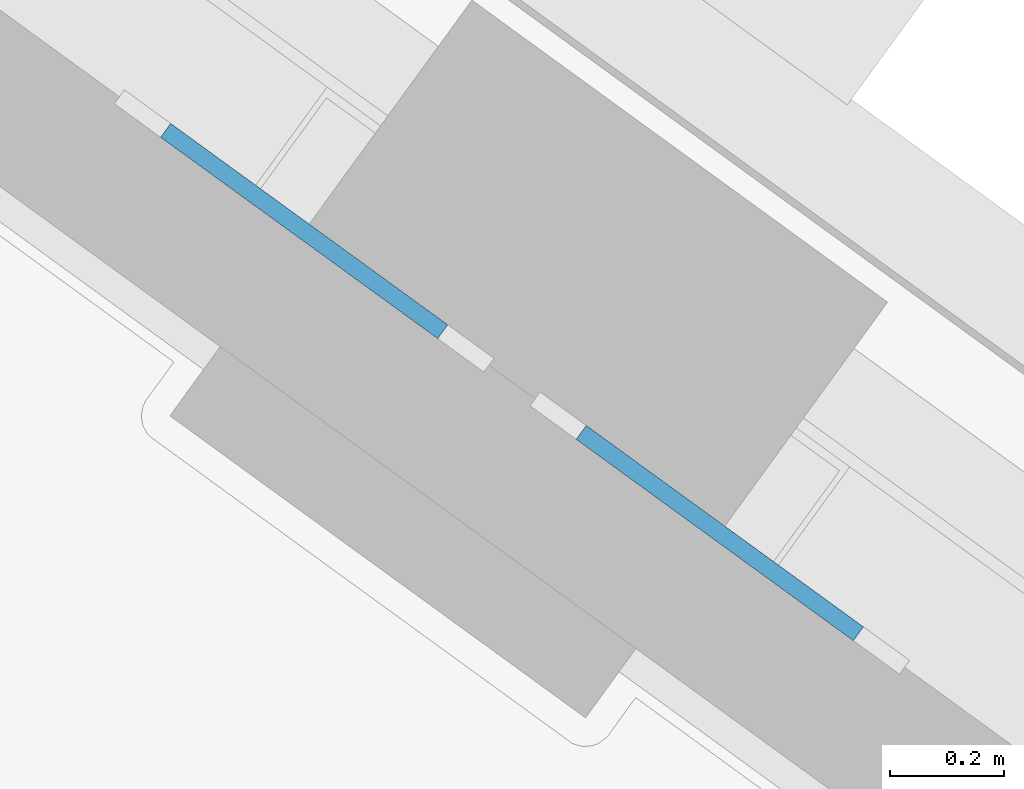
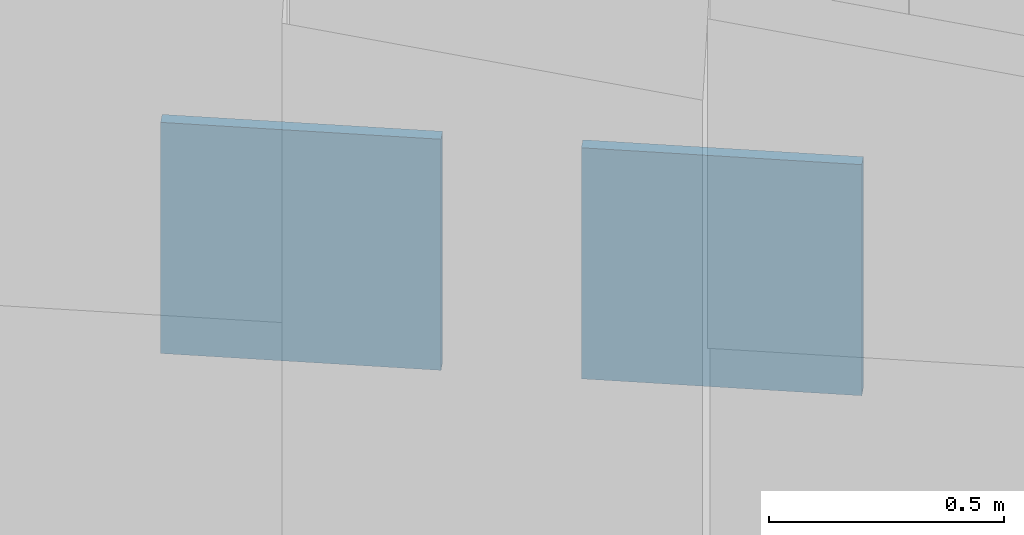
# One storey, part 8 of 16: 2 plates.
"""IFC4 building model written with IfcOpenShell, lengths in metres."""

from ifc_helpers import new_model, si_unit, direction, frame, origin, origin_2d, place, context, subcontext, project, spatial, rectangle, extrude, material, layer, layer_set, type_object, element, save


model = new_model("IFC4")

# Units and contexts
model_context = context("Model", 3, precision=1e-05, world=origin(), true_north=direction((0.0, 1.0)))
body_context = subcontext(model_context, "Body", "Model", "MODEL_VIEW")
ifc_project = project(units=[si_unit("LENGTHUNIT", "METRE"), si_unit("AREAUNIT", "SQUARE_METRE"), si_unit("VOLUMEUNIT", "CUBIC_METRE"), si_unit("PLANEANGLEUNIT", "RADIAN"), si_unit("MASSUNIT", "GRAM", prefix="KILO")], contexts=[model_context])

# Site, building, storey
site_placement = place(None, origin())
site = spatial("IfcSite", under=ifc_project, at=site_placement, CompositionType="ELEMENT")
building_placement = place(site_placement, origin())
building = spatial("IfcBuilding", under=site, at=building_placement, Name="Quipu Civic Tower", CompositionType="ELEMENT")
storey_placement = place(building_placement, frame((0.0, 0.0, 133.0)))
storey = spatial("IfcBuildingStorey", under=building, at=storey_placement, Name="L31", CompositionType="ELEMENT", Elevation=133.0)

# Plates
ifc_material = material(Name="Steel ASTM A572 Grade 50 (fy 345 MPa)", Category="steel")
ifc_layer = layer(ifc_material, 0.030029296875)
ifc_layer_set = layer_set([ifc_layer], Name="Steel ASTM A572 Grade 50 (fy 345 MPa)")
plate_type = type_object("IfcPlateType", Name="Cast in plate TD2", PredefinedType="SHEET", material=ifc_layer_set)
for number, where, z_axis, x_axis, name in (
    (1, (40.025390625, 26.797119140625, 3.800048828125), (0.0, 0.0, 1.0), (0.809037511458, -0.587757011914, 0.0), "Cast-in plate TD2 L31 033"),
    (2, (39.29736328125, 27.326171875, 3.800048828125), (0.0, 0.0, 1.0), (0.809037511458, -0.587757011914, 0.0), "Cast-in plate TD2 L31 036"),
):
    element("IfcPlate", number, at=place(storey_placement, frame(where, z_axis=z_axis, x_axis=x_axis)), inside=storey, type_object=plate_type, Name=name, PredefinedType="SHEET", context=body_context, shape_type="SweptSolid", body=[
        extrude(rectangle(XDim=0.60009765625, YDim=0.030029296875, at=origin_2d()), origin(), (0.0, 0.0, 1.0), 0.60009765625),
    ])

save(model, "model.ifc")
